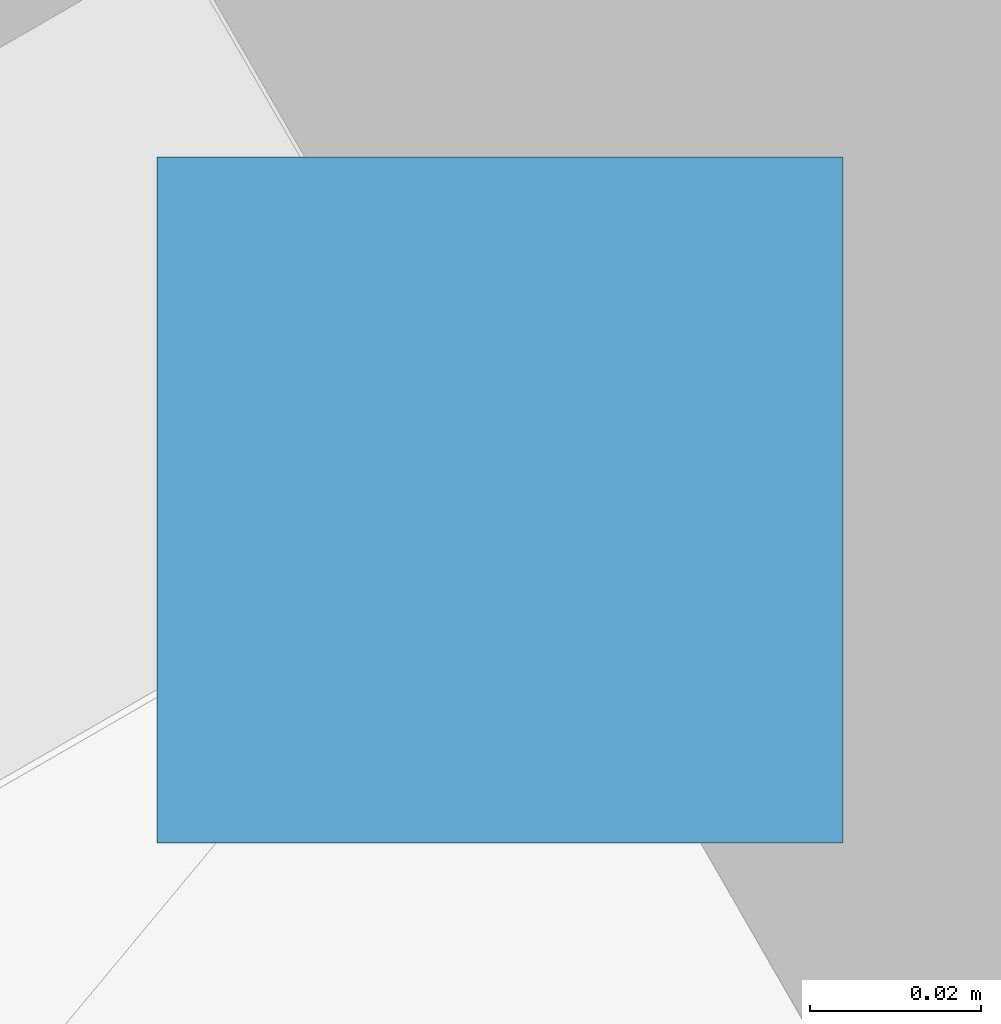
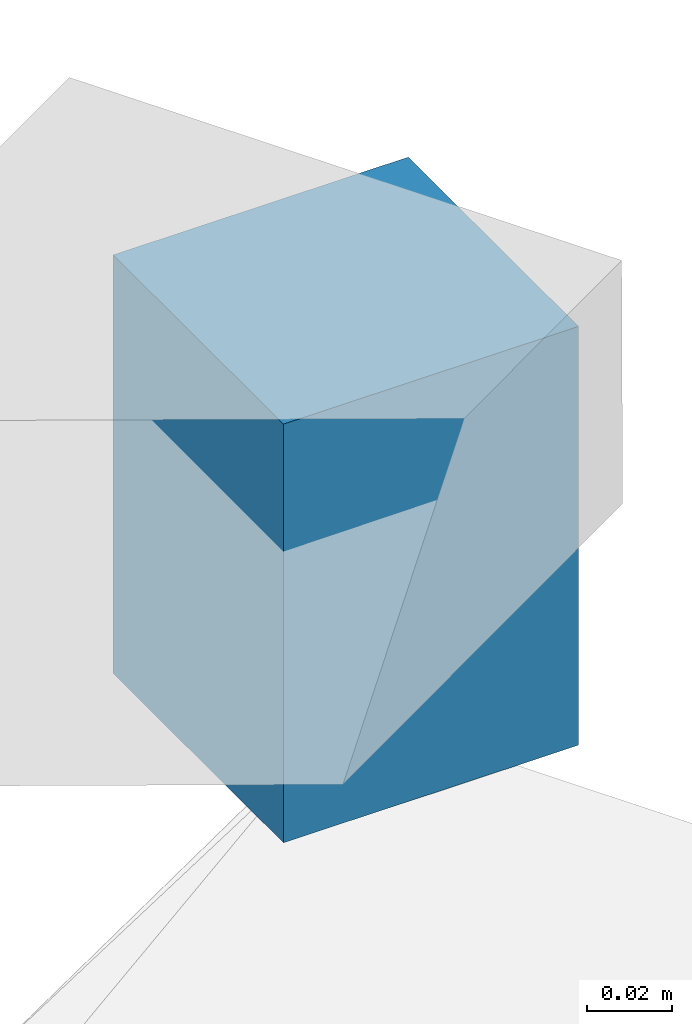
# One storey, part 21 of 23: 1 discrete accessory.
"""IFC4 building model written with IfcOpenShell, lengths in metres."""

from ifc_helpers import new_model, si_unit, direction, frame, origin, origin_2d, place, context, subcontext, project, spatial, rectangle, extrude, material, type_object, element, save


model = new_model("IFC4")

# Units and contexts
model_context = context("Model", 3, precision=1e-05, world=origin(), true_north=direction((0.0, 1.0)))
body_context = subcontext(model_context, "Body", "Model", "MODEL_VIEW")
ifc_project = project(units=[si_unit("LENGTHUNIT", "METRE"), si_unit("AREAUNIT", "SQUARE_METRE"), si_unit("VOLUMEUNIT", "CUBIC_METRE"), si_unit("PLANEANGLEUNIT", "RADIAN"), si_unit("MASSUNIT", "GRAM", prefix="KILO")], contexts=[model_context])

# Site, building, storey
site_placement = place(None, origin())
site = spatial("IfcSite", under=ifc_project, at=site_placement, CompositionType="ELEMENT")
building_placement = place(site_placement, origin())
building = spatial("IfcBuilding", under=site, at=building_placement, Name="Calabash Gate Tower", CompositionType="ELEMENT")
storey_placement = place(building_placement, frame((0.0, 0.0, 243.199951171875)))
storey = spatial("IfcBuildingStorey", under=building, at=storey_placement, Name="L58", CompositionType="ELEMENT", Elevation=243.199951171875)

# Discrete accessory
ifc_material = material(Name="Stainless steel 316 bracket", Category="steel")
discrete_accessory_type = type_object("IfcDiscreteAccessoryType", Name="Soffit bracket 80x80x120", PredefinedType="BRACKET", material=ifc_material)
discrete_accessory_placement = place(storey_placement, frame((34.7607421875, 23.664794921875, -1.02001953125), z_axis=(0.0, 0.0, 1.0), x_axis=(1.0, 0.0, 0.0)))
element("IfcDiscreteAccessory", 1, at=discrete_accessory_placement, inside=storey, type_object=discrete_accessory_type, Name="Soffit bracket Z5 NE 2", PredefinedType="BRACKET", context=body_context, shape_type="SweptSolid", body=[
    extrude(rectangle(XDim=0.080078125, YDim=0.080078125, at=origin_2d()), origin(), (0.0, 0.0, 1.0), 0.1201171875),
])

save(model, "model.ifc")
